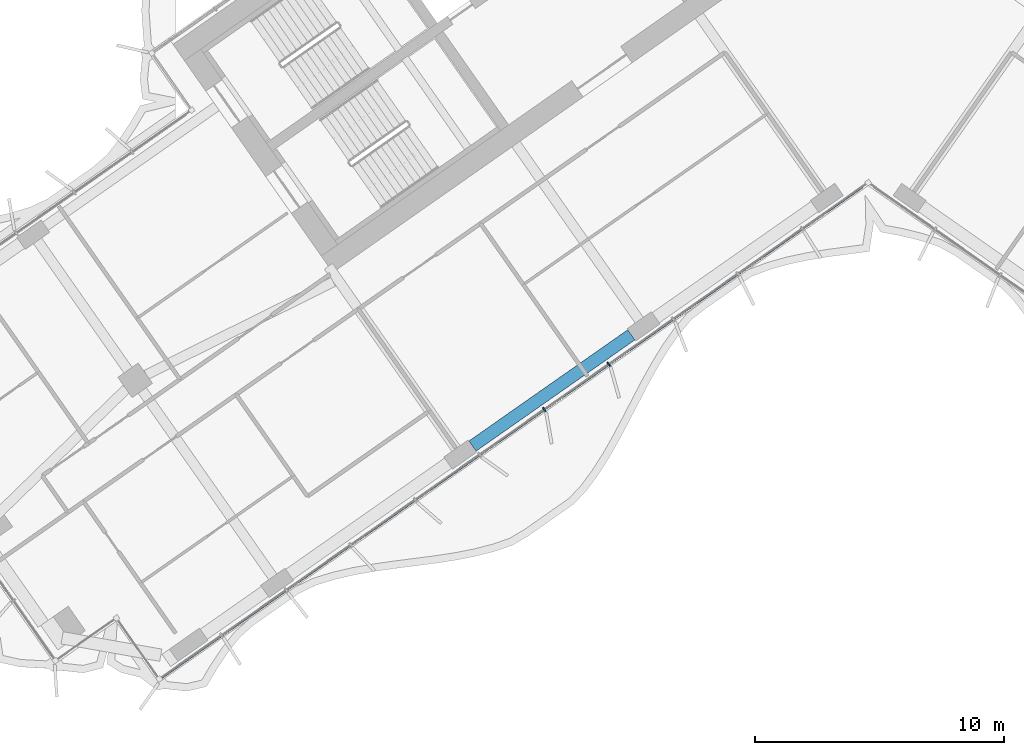
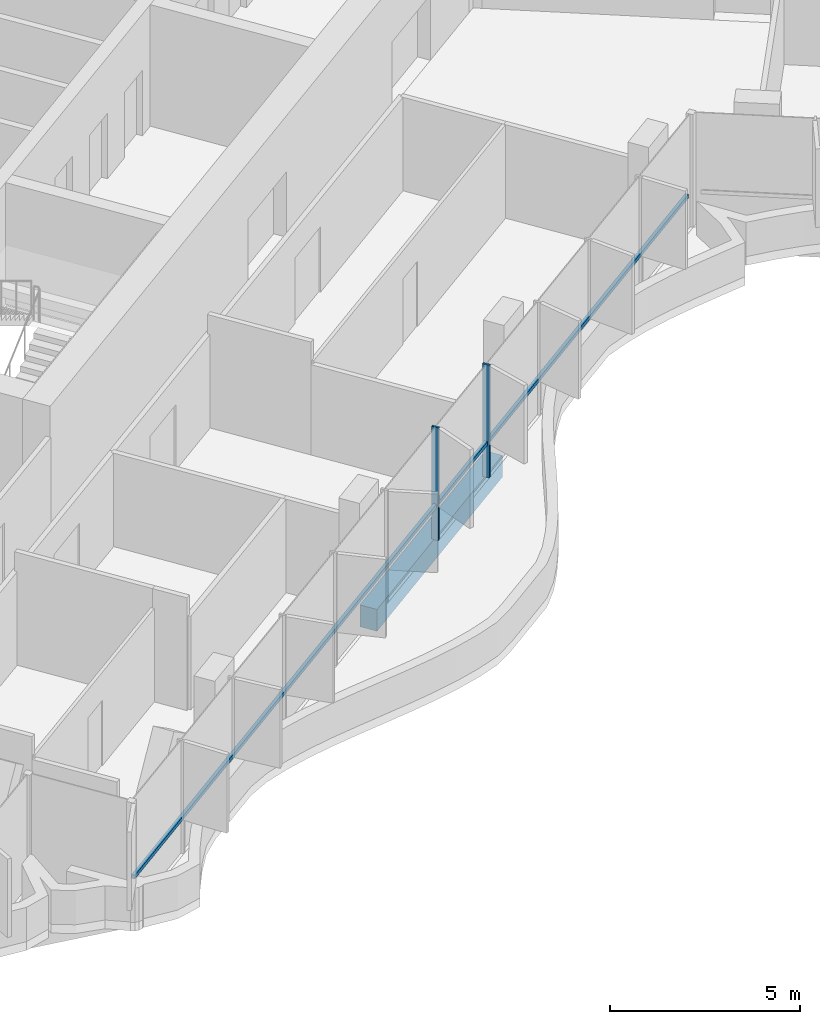
# One storey, part 3 of 21: 3 members, 1 beam, 1 element without a shape of its own.
"""IFC4 building model written with IfcOpenShell, lengths in metres."""

from ifc_helpers import new_model, si_unit, direction, frame, origin, origin_2d, place, context, subcontext, project, spatial, rectangle, extrude, material, material_profile, profile_set, type_object, element, aggregate, save


model = new_model("IFC4")

# Units and contexts
model_context = context("Model", 3, precision=1e-05, world=origin(), true_north=direction((0.0, 1.0)))
body_context = subcontext(model_context, "Body", "Model", "MODEL_VIEW")
ifc_project = project(units=[si_unit("LENGTHUNIT", "METRE"), si_unit("AREAUNIT", "SQUARE_METRE"), si_unit("VOLUMEUNIT", "CUBIC_METRE"), si_unit("PLANEANGLEUNIT", "RADIAN"), si_unit("MASSUNIT", "GRAM", prefix="KILO")], contexts=[model_context])

# Site, building, storey
site_placement = place(None, origin())
site = spatial("IfcSite", under=ifc_project, at=site_placement, CompositionType="ELEMENT")
building_placement = place(site_placement, origin())
building = spatial("IfcBuilding", under=site, at=building_placement, Name="Tel Ilan Convention Tower", CompositionType="ELEMENT")
storey_placement = place(building_placement, frame((0.0, 0.0, 163.199951171875)))
storey = spatial("IfcBuildingStorey", under=building, at=storey_placement, Name="L37", CompositionType="ELEMENT", Elevation=163.199951171875)

# Beam
ifc_material_1 = material(Name="Concrete C40/50", Category="concrete")
ifc_material_profile_1 = material_profile(ifc_material_1, rectangle(XDim=0.5, YDim=0.699951171875, at=origin_2d()), Name="RC 500x700")
ifc_profile_set_1 = profile_set([ifc_material_profile_1], Name="Concrete C40/50")
beam_type = type_object("IfcBeamType", Name="Beam RC 500x700 Concrete C40/50", PredefinedType="BEAM", material=ifc_profile_set_1)
beam_placement = place(storey_placement, frame((-9.529052734375, -18.819091796875, -0.6298828125), z_axis=(-0.819153977895, -0.573573674866, 0.0), x_axis=(0.573573674866, -0.819153977895, 0.0)))
element("IfcBeam", 1, at=beam_placement, inside=storey, type_object=beam_type, Name="L37 beam W-W-F2-W-F3", PredefinedType="BEAM", context=body_context, shape_type="SweptSolid", body=[
    extrude(rectangle(XDim=0.5, YDim=0.699951171875, at=origin_2d()), origin(), (0.0, 0.0, 1.0), 7.800048828125),
])

# Curtain wall, members
ifc_material_2 = material(Name="Aluminium, bronze anodised", Category="aluminium")
curtain_wall_type = type_object("IfcCurtainWallType", Name="CW4 STICK CURTAIN WALL, OFFICE TINTED GLASS", PredefinedType="NOTDEFINED", material=ifc_material_2)
curtain_wall_placement = place(storey_placement, origin())
curtain_wall = element("IfcCurtainWall", 2, at=curtain_wall_placement, inside=storey, type_object=curtain_wall_type, Name="Curtain wall CW4-29.02", PredefinedType="NOTDEFINED")
ifc_material_3 = material(Name="Aluminium, bronze anodised", Category="aluminium")
ifc_material_profile_2 = material_profile(ifc_material_3, rectangle(XDim=0.06005859375, YDim=0.199951171875, at=origin_2d()), Name="CW MULLION 60x200")
ifc_profile_set_2 = profile_set([ifc_material_profile_2], Name="Aluminium, bronze anodised")
member_type_1 = type_object("IfcMemberType", Name="CW MULLION 60x200", PredefinedType="MULLION", material=ifc_profile_set_2)
member_1_placement = place(storey_placement, frame((-13.03271484375, -21.821533203125, 0.0), z_axis=(0.0, 0.0, 1.0), x_axis=(0.819152044289, 0.573576436351, 0.0)))
member_1 = element("IfcMember", 3, at=member_1_placement, type_object=member_type_1, Name="Mullion", PredefinedType="MULLION", context=body_context, shape_type="SweptSolid", body=[
    extrude(rectangle(XDim=0.06005859375, YDim=0.199951171875, at=origin_2d()), origin(), (0.0, 0.0, 1.0), 3.6201171875),
])
member_2_placement = place(storey_placement, frame((-10.4375, -20.004638671875, 0.0), z_axis=(0.0, 0.0, 1.0), x_axis=(0.819152044289, 0.573576436351, 0.0)))
member_2 = element("IfcMember", 4, at=member_2_placement, type_object=member_type_1, Name="Mullion", PredefinedType="MULLION", context=body_context, shape_type="SweptSolid", body=[
    extrude(rectangle(XDim=0.06005859375, YDim=0.199951171875, at=origin_2d()), origin(), (0.0, 0.0, 1.0), 3.6201171875),
])
ifc_material_4 = material(Name="Aluminium, bronze anodised", Category="aluminium")
ifc_material_profile_3 = material_profile(ifc_material_4, rectangle(XDim=0.10009765625, YDim=0.1201171875, at=origin_2d()), Name="CW TRANSOM 100x120")
ifc_profile_set_3 = profile_set([ifc_material_profile_3], Name="Aluminium, bronze anodised")
member_type_2 = type_object("IfcMemberType", Name="CW TRANSOM 100x120", PredefinedType="USERDEFINED", material=ifc_profile_set_3)
member_3_placement = place(storey_placement, frame((-28.439208984375, -32.609375, 1.10009765625), z_axis=(0.819151003602, 0.573577922604, 0.0), x_axis=(-0.573577922604, 0.819151003602, 0.0)))
member_3 = element("IfcMember", 5, at=member_3_placement, type_object=member_type_2, Name="Transom", ObjectType="TRANSOM", PredefinedType="USERDEFINED", context=body_context, shape_type="SweptSolid", body=[
    extrude(rectangle(XDim=0.10009765625, YDim=0.1201171875, at=origin_2d()), origin(), (0.0, 0.0, 1.0), 34.447998046875),
])
aggregate(curtain_wall, [member_1, member_2, member_3])

save(model, "model.ifc")
